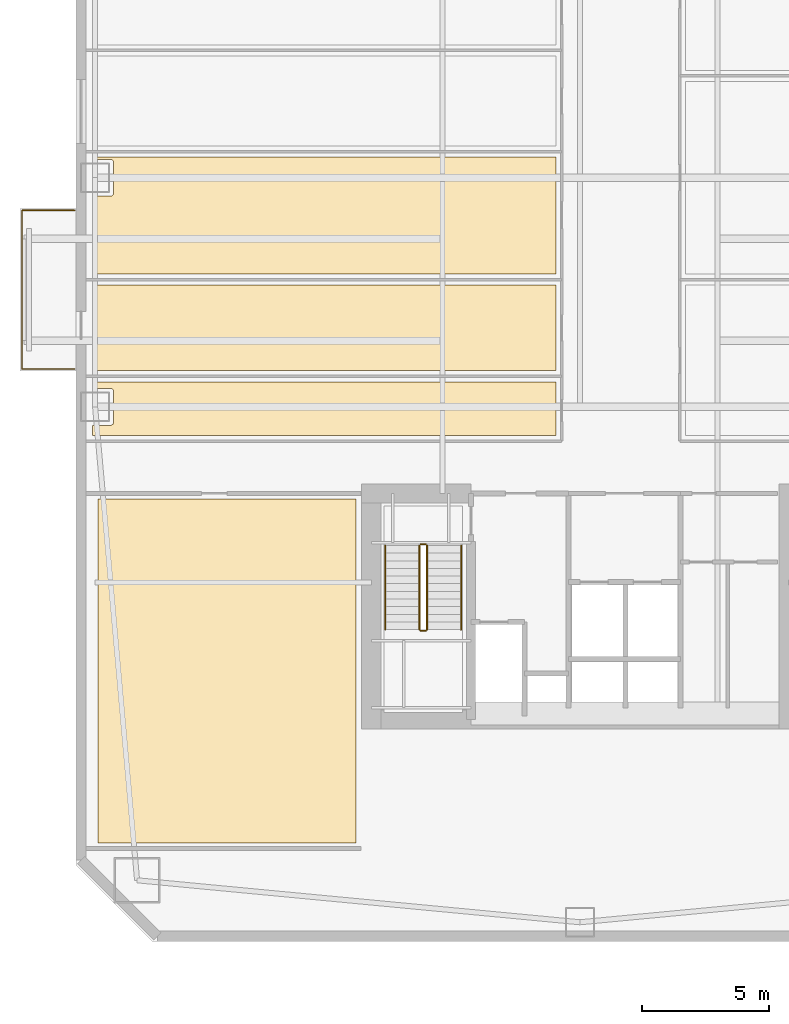
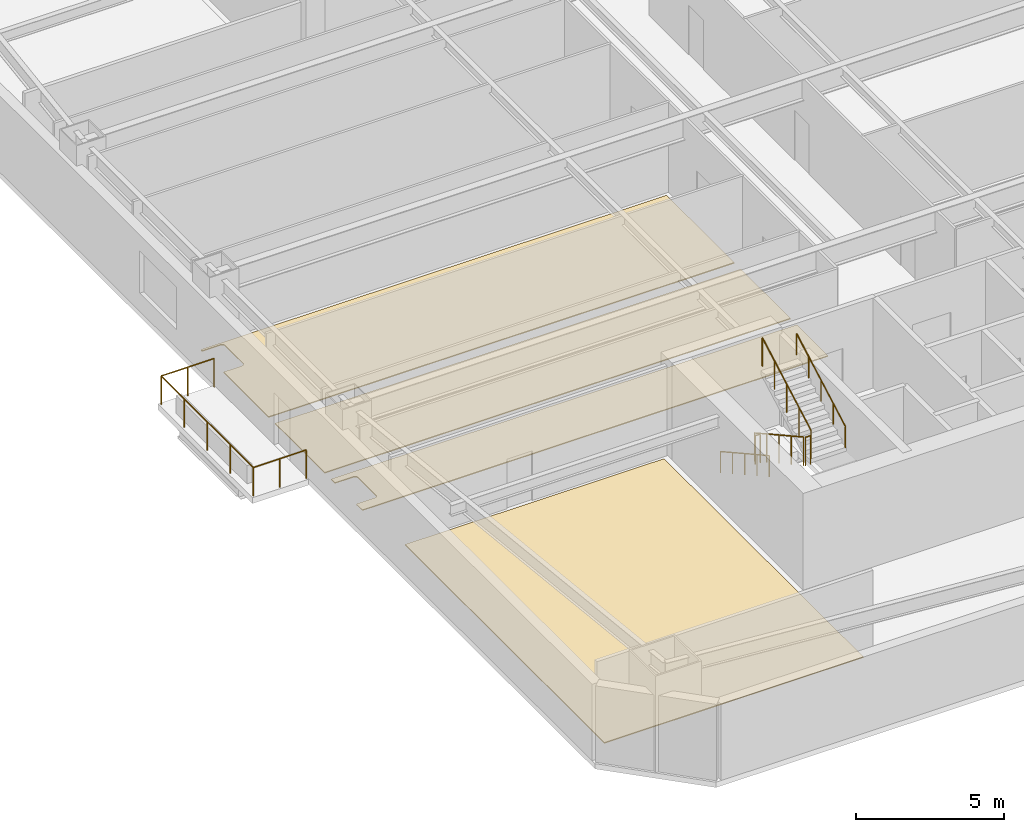
# One storey, part 11 of 18: 7 railings, 4 coverings.
"""IFC4 building model written with IfcOpenShell, lengths in metres."""

import ifcopenshell
import ifcopenshell.guid

model = None  # the IFC model being written
_history = None  # IfcOwnerHistory: only IFC2X3 demands one
_inside = {}  # id of a spatial element -> (the spatial element, [elements in it])
_under = {}  # id of a project, library or spatial element -> (it, [spatial elements below it])
_declared = {}  # id of a project -> (the project, [libraries it declares])
_typed = {}  # id of a type object -> (the type object, [elements of that type])
_made_of = {}  # id of a material, layer set ... -> (it, [elements and type objects made of it])


def new_model(schema):
    """Start an empty IFC model of exactly this schema.

    Asked for "IFC4X3", IfcOpenShell would pick the latest addendum, in which some entities
    have other attributes; the version numbers below select the first issue.
    IFC2X3 requires an IfcOwnerHistory on every rooted entity: one is made here for all.
    """
    global model, _history
    if schema == "IFC4X3":
        model = ifcopenshell.file(schema_version=(4, 3, 0, 0))
    else:
        model = ifcopenshell.file(schema=schema)
    _inside.clear()
    _under.clear()
    _declared.clear()
    _typed.clear()
    _made_of.clear()
    _history = None
    if model.schema == "IFC2X3":
        org = make("IfcOrganization", Name="unknown")
        user = make(
            "IfcPersonAndOrganization",
            ThePerson=make("IfcPerson", FamilyName="unknown"),
            TheOrganization=org,
        )
        app = make(
            "IfcApplication",
            ApplicationDeveloper=org,
            Version="unknown",
            ApplicationFullName="unknown",
            ApplicationIdentifier="unknown",
        )
        _history = make(
            "IfcOwnerHistory",
            OwningUser=user,
            OwningApplication=app,
            ChangeAction="ADDED",
            CreationDate=0,
        )
    return model


def make(cls, **values):
    """One entity of the class cls with the attributes given. An attribute that is None is left unset."""
    return model.create_entity(
        cls, **{name: value for name, value in values.items() if value is not None}
    )


def rooted(cls, **values):
    """An entity with a GlobalId (a new one), such as an element, a storey or a relation."""
    return make(cls, GlobalId=ifcopenshell.guid.new(), OwnerHistory=_history, **values)


def si_unit(unit_type, name, prefix=None):
    """IfcSIUnit, for example si_unit("LENGTHUNIT", "METRE", prefix="MILLI")."""
    return make("IfcSIUnit", UnitType=unit_type, Prefix=prefix, Name=name)


def assignment(units):
    """IfcUnitAssignment: the units of a project."""
    return None if units is None else make("IfcUnitAssignment", Units=units)


def point(xyz):
    """IfcCartesianPoint."""
    return None if xyz is None else make("IfcCartesianPoint", Coordinates=xyz)


def direction(xyz):
    """IfcDirection."""
    return None if xyz is None else make("IfcDirection", DirectionRatios=xyz)


def frame(location, z_axis=None, x_axis=None):
    """IfcAxis2Placement3D, a coordinate frame: its origin and axes. An axis left out is left unset."""
    return make(
        "IfcAxis2Placement3D",
        Location=point(location),
        Axis=direction(z_axis),
        RefDirection=direction(x_axis),
    )


def frame_2d(location, x_axis=None):
    """IfcAxis2Placement2D, a coordinate frame in the plane: its origin and x axis."""
    return make(
        "IfcAxis2Placement2D", Location=point(location), RefDirection=direction(x_axis)
    )


def origin():
    """The frame at (0, 0, 0) with its axes left unset."""
    return frame((0.0, 0.0, 0.0))


def origin_2d():
    """The frame at (0, 0) in the plane with its x axis left unset."""
    return frame_2d((0.0, 0.0))


def place(relative_to, where):
    """IfcLocalPlacement: puts the frame where relative to a parent placement (None: the world)."""
    return make(
        "IfcLocalPlacement", PlacementRelTo=relative_to, RelativePlacement=where
    )


def context(
    kind, dimensions, precision=None, world=None, true_north=None, identifier=None
):
    """IfcGeometricRepresentationContext, for example the 3D "Model" context."""
    return make(
        "IfcGeometricRepresentationContext",
        ContextIdentifier=identifier,
        ContextType=kind,
        CoordinateSpaceDimension=dimensions,
        Precision=precision,
        WorldCoordinateSystem=world,
        TrueNorth=true_north,
    )


def subcontext(parent, identifier, kind, view, scale=None):
    """IfcGeometricRepresentationSubContext, for example "Body" below "Model"."""
    return make(
        "IfcGeometricRepresentationSubContext",
        ContextIdentifier=identifier,
        ContextType=kind,
        ParentContext=parent,
        TargetScale=scale,
        TargetView=view,
    )


def project(units=None, contexts=None):
    """IfcProject with its units and contexts."""
    return rooted(
        "IfcProject",
        Name="project",
        RepresentationContexts=contexts,
        UnitsInContext=assignment(units),
    )


def spatial(cls, under=None, at=None, **own):
    """A site, building, storey or space (cls), placed at a placement, below another one or the project."""
    s = rooted(cls, ObjectPlacement=at, **own)
    if under is not None:
        _under.setdefault(under.id(), (under, []))[1].append(s)
    return s


def polyline(points):
    """IfcPolyline through the points."""
    return make("IfcPolyline", Points=[point(p) for p in points])


def profile(cls, at=None, kind="AREA", **sizes):
    """A parametric profile (cls). Its sizes go by their IFC names, for example OverallWidth=200.0."""
    return make(cls, ProfileType=kind, Position=at, **sizes)


def circle(**sizes):
    """IfcCircleProfileDef."""
    return profile("IfcCircleProfileDef", **sizes)


def outline(outer, holes=None, kind="AREA"):
    """IfcArbitraryClosedProfileDef: a profile drawn as a closed curve; with holes, ...WithVoids."""
    if holes is None:
        return make("IfcArbitraryClosedProfileDef", ProfileType=kind, OuterCurve=outer)
    return make(
        "IfcArbitraryProfileDefWithVoids",
        ProfileType=kind,
        OuterCurve=outer,
        InnerCurves=holes,
    )


def extrude(swept, where, along, depth):
    """IfcExtrudedAreaSolid: the profile swept, set in the frame where, extruded along a direction by depth."""
    return make(
        "IfcExtrudedAreaSolid",
        SweptArea=swept,
        Position=where,
        ExtrudedDirection=direction(along),
        Depth=depth,
    )


def shape(context_of_items, identifier, shape_type, items):
    """IfcShapeRepresentation: the items that make up one representation, for example the "Body"."""
    return make(
        "IfcShapeRepresentation",
        ContextOfItems=context_of_items,
        RepresentationIdentifier=identifier,
        RepresentationType=shape_type,
        Items=items,
    )


def material(Name=None, Category=None):
    """IfcMaterial."""
    return make("IfcMaterial", Name=Name, Category=Category)


def layer(
    of_material, thickness, ventilated=None, Name=None, Category=None, Priority=None
):
    """IfcMaterialLayer: one layer of a wall or slab, of a material (None: an air gap)."""
    return make(
        "IfcMaterialLayer",
        Material=of_material,
        LayerThickness=thickness,
        IsVentilated=ventilated,
        Name=Name,
        Category=Category,
        Priority=Priority,
    )


def layer_set(layers, Name=None):
    """IfcMaterialLayerSet."""
    return make("IfcMaterialLayerSet", MaterialLayers=layers, LayerSetName=Name)


def made_of(thing, what):
    """Note that an element or type object is made of a material, layer set ...; save() writes the relation."""
    if what is not None:
        _made_of.setdefault(what.id(), (what, []))[1].append(thing)
    return thing


def type_object(cls, material=None, **own):
    """A type object (cls), such as IfcWallType, which elements share."""
    return made_of(rooted(cls, **own), material)


def element(
    cls,
    number,
    at=None,
    inside=None,
    cuts=None,
    type_object=None,
    material=None,
    context=None,
    identifier="Body",
    shape_type=None,
    held_by="IfcProductDefinitionShape",
    body=None,
    shapes=None,
    **own,
):
    """One element of the class cls, such as IfcWall. Its Tag is "e" and its number.

    at: its placement. inside: the storey or other place that contains it. cuts: it is an
    opening in that element (IfcRelVoidsElement). A single representation is given by context,
    identifier, shape_type and body (its items); several are given by shapes. held_by: the class
    of the entity that holds the representations. save() writes the other relations.
    """
    e = rooted(cls, Tag="e%d" % number, ObjectPlacement=at, **own)
    if body is not None:
        shapes = [shape(context, identifier, shape_type, body)]
    if shapes is not None:
        e.Representation = make(held_by, Representations=shapes)
    if inside is not None:
        _inside.setdefault(inside.id(), (inside, []))[1].append(e)
    if cuts is not None:
        rooted(
            "IfcRelVoidsElement", RelatingBuildingElement=cuts, RelatedOpeningElement=e
        )
    if type_object is not None:
        _typed.setdefault(type_object.id(), (type_object, []))[1].append(e)
    return made_of(e, material)


def aggregate(whole, parts):
    """IfcRelAggregates: a whole, such as a stair, and the parts it consists of."""
    return rooted("IfcRelAggregates", RelatingObject=whole, RelatedObjects=parts)


def save(model, path):
    """Write the relations noted so far, then the file.

    IfcRelAggregates (storeys below a building ...), IfcRelContainedInSpatialStructure (elements
    in a storey), IfcRelDefinesByType, IfcRelAssociatesMaterial and IfcRelDeclares: one each for
    every whole, place, type object, material and project.
    """
    for whole, parts in _under.values():
        aggregate(whole, parts)
    for where, things in _inside.values():
        rooted(
            "IfcRelContainedInSpatialStructure",
            RelatedElements=things,
            RelatingStructure=where,
        )
    for kind, things in _typed.values():
        rooted("IfcRelDefinesByType", RelatedObjects=things, RelatingType=kind)
    for what, things in _made_of.values():
        rooted("IfcRelAssociatesMaterial", RelatedObjects=things, RelatingMaterial=what)
    for by, libraries in _declared.values():
        rooted("IfcRelDeclares", RelatingContext=by, RelatedDefinitions=libraries)
    model.write(path)


model = new_model("IFC4")

# Units and contexts
model_context = context("Model", 3, precision=1e-05, world=origin(), true_north=direction((0.0, 1.0)))
body_context = subcontext(model_context, "Body", "Model", "MODEL_VIEW")
ifc_project = project(units=[si_unit("LENGTHUNIT", "METRE"), si_unit("AREAUNIT", "SQUARE_METRE"), si_unit("VOLUMEUNIT", "CUBIC_METRE"), si_unit("PLANEANGLEUNIT", "RADIAN"), si_unit("MASSUNIT", "GRAM", prefix="KILO")], contexts=[model_context])

# Site, building, storey
site_placement = place(None, origin())
site = spatial("IfcSite", under=ifc_project, at=site_placement, CompositionType="ELEMENT")
building_placement = place(site_placement, origin())
building = spatial("IfcBuilding", under=site, at=building_placement, Name="Qiaolan Cultural Towers", CompositionType="ELEMENT")
storey_placement = place(building_placement, frame((0.0, 0.0, 38.0)))
storey = spatial("IfcBuildingStorey", under=building, at=storey_placement, Name="L08", CompositionType="ELEMENT", Elevation=38.0)

# Coverings
ifc_material_1 = material(Name="Honed Terrazzo & Raised Access Flooring", Category="concrete")
ifc_layer = layer(ifc_material_1, 0.0400390625)
ifc_layer_set = layer_set([ifc_layer], Name="Honed Terrazzo & Raised Access Flooring")
covering_type = type_object("IfcCoveringType", Name="COV-FLR-STONE", PredefinedType="FLOORING", material=ifc_layer_set)
covering_1_placement = place(storey_placement, origin())
element("IfcCovering", 1, at=covering_1_placement, inside=storey, type_object=covering_type, Name="L08 Corner Project Briefing Room Finish Flooring", PredefinedType="FLOORING", context=body_context, shape_type="SweptSolid", body=[
    extrude(outline(polyline([(21.199951171875, 7.8701171875), (21.199951171875, 21.3798828125), (11.070068359375, 21.3798828125), (11.070068359375, 7.8701171875), (21.199951171875, 7.8701171875)])), origin(), (0.0, 0.0, 1.0), 0.0400390625),
])
covering_2_placement = place(storey_placement, origin())
element("IfcCovering", 2, at=covering_2_placement, inside=storey, type_object=covering_type, Name="L08 Project Briefing Room Finish Flooring", PredefinedType="FLOORING", context=body_context, shape_type="SweptSolid", body=[
    extrude(outline(polyline([(10.840087890625, 25.72509765625), (11.554931640625, 25.72509765625), (11.566650390625, 25.724365234375), (11.578369140625, 25.72265625), (11.58984375, 25.7197265625), (11.600830078125, 25.7158203125), (11.611572265625, 25.7109375), (11.62158203125, 25.704833984375), (11.631103515625, 25.69775390625), (11.639892578125, 25.68994140625), (11.647705078125, 25.68115234375), (11.65478515625, 25.671630859375), (11.660888671875, 25.66162109375), (11.665771484375, 25.65087890625), (11.669921875, 25.639892578125), (11.672607421875, 25.62841796875), (11.67431640625, 25.61669921875), (11.675048828125, 25.60498046875), (11.675048828125, 24.39501953125), (11.67431640625, 24.38330078125), (11.672607421875, 24.37158203125), (11.669921875, 24.360107421875), (11.665771484375, 24.34912109375), (11.660888671875, 24.33837890625), (11.65478515625, 24.328369140625), (11.647705078125, 24.31884765625), (11.639892578125, 24.31005859375), (11.631103515625, 24.30224609375), (11.62158203125, 24.295166015625), (11.611572265625, 24.2890625), (11.600830078125, 24.2841796875), (11.58984375, 24.2802734375), (11.578369140625, 24.27734375), (11.566650390625, 24.275634765625), (11.554931640625, 24.27490234375), (10.840087890625, 24.27490234375), (10.840087890625, 23.8701171875), (29.054931640625, 23.8701171875), (29.054931640625, 25.97998046875), (10.840087890625, 25.97998046875), (10.840087890625, 25.72509765625)])), origin(), (0.0, 0.0, 1.0), 0.0400390625),
])
covering_3_placement = place(storey_placement, origin())
element("IfcCovering", 3, at=covering_3_placement, inside=storey, type_object=covering_type, Name="L08 Curatorial Research Office Finish Flooring", PredefinedType="FLOORING", context=body_context, shape_type="SweptSolid", body=[
    extrude(outline(polyline([(29.054931640625, 26.419921875), (29.054931640625, 29.780029296875), (10.840087890625, 29.780029296875), (10.840087890625, 26.419921875), (29.054931640625, 26.419921875)])), origin(), (0.0, 0.0, 1.0), 0.0400390625),
])
covering_4_placement = place(storey_placement, origin())
element("IfcCovering", 4, at=covering_4_placement, inside=storey, type_object=covering_type, Name="L08 Curatorial Research Office Finish Flooring", PredefinedType="FLOORING", context=body_context, shape_type="SweptSolid", body=[
    extrude(outline(polyline([(10.840087890625, 34.72509765625), (11.554931640625, 34.72509765625), (11.566650390625, 34.724365234375), (11.578369140625, 34.72265625), (11.58984375, 34.7197265625), (11.600830078125, 34.7158203125), (11.611572265625, 34.7109375), (11.62158203125, 34.704833984375), (11.631103515625, 34.69775390625), (11.639892578125, 34.68994140625), (11.647705078125, 34.68115234375), (11.65478515625, 34.671630859375), (11.660888671875, 34.66162109375), (11.665771484375, 34.65087890625), (11.669921875, 34.639892578125), (11.672607421875, 34.62841796875), (11.67431640625, 34.61669921875), (11.675048828125, 34.60498046875), (11.675048828125, 33.39501953125), (11.67431640625, 33.38330078125), (11.672607421875, 33.37158203125), (11.669921875, 33.360107421875), (11.665771484375, 33.34912109375), (11.660888671875, 33.33837890625), (11.65478515625, 33.328369140625), (11.647705078125, 33.31884765625), (11.639892578125, 33.31005859375), (11.631103515625, 33.30224609375), (11.62158203125, 33.295166015625), (11.611572265625, 33.2890625), (11.600830078125, 33.2841796875), (11.58984375, 33.2802734375), (11.578369140625, 33.27734375), (11.566650390625, 33.275634765625), (11.554931640625, 33.27490234375), (10.840087890625, 33.27490234375), (10.840087890625, 30.219970703125), (29.054931640625, 30.219970703125), (29.054931640625, 34.80810546875), (10.840087890625, 34.80810546875), (10.840087890625, 34.72509765625)])), origin(), (0.0, 0.0, 1.0), 0.0400390625),
])

# Railings
ifc_material_2 = material(Name="Laminated SentryGlas & Stainless Steel S31608 Balustrade", Category="steel")
railing_type_1 = type_object("IfcRailingType", Name="GRD-TERR-1200", PredefinedType="BALUSTRADE", material=ifc_material_2)
railing_1_placement = place(storey_placement, frame((10.14990234375, 26.47998046875, 0.0)))
element("IfcRailing", 5, at=railing_1_placement, inside=storey, type_object=railing_type_1, Name="L08 T1 Tree Balcony Guardrail W", PredefinedType="BALUSTRADE", context=body_context, shape_type="SweptSolid", body=[
    extrude(circle(Radius=0.02392578125, at=origin_2d()), frame((0.0, 0.0, 1.17578125), z_axis=(-1.0, 0.0, 0.0), x_axis=(0.0, -1.0, 0.0)), (0.0, 0.0, 1.0), 2.06982421875),
    extrude(circle(Radius=0.02392578125, at=origin_2d()), frame((-2.06982421875, 0.0, 1.17578125), z_axis=(0.0, 1.0, 0.0), x_axis=(-1.0, 0.0, 0.0)), (0.0, 0.0, 1.0), 6.239990234375),
    extrude(circle(Radius=0.02392578125, at=origin_2d()), frame((-2.06982421875, 6.239990234375, 1.17578125), z_axis=(1.0, 0.0, 0.0), x_axis=(0.0, 1.0, 0.0)), (0.0, 0.0, 1.0), 2.06982421875),
    extrude(circle(Radius=0.02099609375, at=origin_2d()), origin(), (0.0, 0.0, 1.0), 1.15185546875),
    extrude(circle(Radius=0.02099609375, at=origin_2d()), frame((-1.034912109375, 0.0, 0.0)), (0.0, 0.0, 1.0), 1.15185546875),
    extrude(circle(Radius=0.02099609375, at=origin_2d()), frame((-2.06982421875, 0.0, 0.0)), (0.0, 0.0, 1.0), 1.15185546875),
    extrude(circle(Radius=0.02099609375, at=origin_2d()), frame((-2.06982421875, 1.56005859375, 0.0)), (0.0, 0.0, 1.0), 1.15185546875),
    extrude(circle(Radius=0.02099609375, at=origin_2d()), frame((-2.06982421875, 3.1201171875, 0.0)), (0.0, 0.0, 1.0), 1.15185546875),
    extrude(circle(Radius=0.02099609375, at=origin_2d()), frame((-2.06982421875, 4.679931640625, 0.0)), (0.0, 0.0, 1.0), 1.15185546875),
    extrude(circle(Radius=0.02099609375, at=origin_2d()), frame((-2.06982421875, 6.239990234375, 0.0)), (0.0, 0.0, 1.0), 1.15185546875),
    extrude(circle(Radius=0.02099609375, at=origin_2d()), frame((-1.034912109375, 6.239990234375, 0.0)), (0.0, 0.0, 1.0), 1.15185546875),
    extrude(circle(Radius=0.02099609375, at=origin_2d()), frame((0.0, 6.239990234375, 0.0)), (0.0, 0.0, 1.0), 1.15185546875),
])
ifc_material_3 = material(Name="Galvanized Painted Steel Stair Guardrail", Category="steel")
railing_type_2 = type_object("IfcRailingType", Name="RL-STAIR-GRD", PredefinedType="GUARDRAIL", material=ifc_material_3)
railing_2_placement = place(storey_placement, frame((23.68994140625, 19.550048828125, 0.166748046875)))
element("IfcRailing", 6, at=railing_2_placement, inside=storey, type_object=railing_type_2, Name="L08 ST-W1 stair guard 1", PredefinedType="GUARDRAIL", context=body_context, shape_type="SweptSolid", body=[
    extrude(circle(Radius=0.02392578125, at=origin_2d()), frame((0.0, 0.0, 1.17578125), z_axis=(0.0, -0.874169478083, 0.485620966999), x_axis=(1.0, 0.0, 0.0)), (0.0, 0.0, 1.0), 3.775146484375),
    extrude(circle(Radius=0.02099609375, at=origin_2d()), origin(), (0.0, 0.0, 1.0), 1.15185546875),
    extrude(circle(Radius=0.02099609375, at=origin_2d()), frame((0.0, -0.824951171875, 0.458251953125)), (0.0, 0.0, 1.0), 1.15185546875),
    extrude(circle(Radius=0.02099609375, at=origin_2d()), frame((0.0, -1.64990234375, 0.91650390625)), (0.0, 0.0, 1.0), 1.15185546875),
    extrude(circle(Radius=0.02099609375, at=origin_2d()), frame((0.0, -2.47509765625, 1.375)), (0.0, 0.0, 1.0), 1.15185546875),
    extrude(circle(Radius=0.02099609375, at=origin_2d()), frame((0.0, -3.300048828125, 1.833251953125)), (0.0, 0.0, 1.0), 1.15185546875),
])
railing_3_placement = place(storey_placement, frame((23.739990234375, 16.199951171875, 2.0)))
element("IfcRailing", 7, at=railing_3_placement, inside=storey, type_object=railing_type_2, Name="L08 ST-W1 stair guard 2", PredefinedType="GUARDRAIL", context=body_context, shape_type="SweptSolid", body=[
    extrude(circle(Radius=0.02392578125, at=origin_2d()), frame((0.0, 0.0, 1.17578125), z_axis=(1.0, 0.0, 0.0), x_axis=(0.0, 1.0, 0.0)), (0.0, 0.0, 1.0), 0.199951171875),
    extrude(circle(Radius=0.02099609375, at=origin_2d()), origin(), (0.0, 0.0, 1.0), 1.15185546875),
    extrude(circle(Radius=0.02099609375, at=origin_2d()), frame((0.199951171875, 0.0, 0.0)), (0.0, 0.0, 1.0), 1.15185546875),
])
railing_4_placement = place(storey_placement, frame((23.989990234375, 16.25, 2.166748046875)))
element("IfcRailing", 8, at=railing_4_placement, inside=storey, type_object=railing_type_2, Name="L08 ST-W1 stair guard 3", PredefinedType="GUARDRAIL", context=body_context, shape_type="SweptSolid", body=[
    extrude(circle(Radius=0.02392578125, at=origin_2d()), frame((0.0, 0.0, 1.17578125), z_axis=(0.0, 0.874169478083, 0.485620966999), x_axis=(-1.0, 0.0, 0.0)), (0.0, 0.0, 1.0), 3.775146484375),
    extrude(circle(Radius=0.02099609375, at=origin_2d()), origin(), (0.0, 0.0, 1.0), 1.15185546875),
    extrude(circle(Radius=0.02099609375, at=origin_2d()), frame((0.0, 0.824951171875, 0.458251953125)), (0.0, 0.0, 1.0), 1.15185546875),
    extrude(circle(Radius=0.02099609375, at=origin_2d()), frame((0.0, 1.64990234375, 0.91650390625)), (0.0, 0.0, 1.0), 1.15185546875),
    extrude(circle(Radius=0.02099609375, at=origin_2d()), frame((0.0, 2.47509765625, 1.375)), (0.0, 0.0, 1.0), 1.15185546875),
    extrude(circle(Radius=0.02099609375, at=origin_2d()), frame((0.0, 3.300048828125, 1.833251953125)), (0.0, 0.0, 1.0), 1.15185546875),
])
railing_5_placement = place(storey_placement, frame((23.739990234375, 19.60009765625, 0.0)))
element("IfcRailing", 9, at=railing_5_placement, inside=storey, type_object=railing_type_2, Name="L08 ST-W1 stair guard 4", PredefinedType="GUARDRAIL", context=body_context, shape_type="SweptSolid", body=[
    extrude(circle(Radius=0.02392578125, at=origin_2d()), frame((0.0, 0.0, 1.17578125), z_axis=(1.0, 0.0, 0.0), x_axis=(0.0, 1.0, 0.0)), (0.0, 0.0, 1.0), 0.199951171875),
    extrude(circle(Radius=0.02099609375, at=origin_2d()), origin(), (0.0, 0.0, 1.0), 1.15185546875),
    extrude(circle(Radius=0.02099609375, at=origin_2d()), frame((0.199951171875, 0.0, 0.0)), (0.0, 0.0, 1.0), 1.15185546875),
])
ifc_material_4 = material(Name="Stainless Steel S30408 Tubular Handrail", Category="steel")
railing_type_3 = type_object("IfcRailingType", Name="RL-STAIR-HR", PredefinedType="HANDRAIL", material=ifc_material_4)
railing_6_placement = place(storey_placement, frame((22.35009765625, 19.550048828125, 0.166748046875)))
element("IfcRailing", 10, at=railing_6_placement, inside=storey, type_object=railing_type_3, Name="L08 ST-W1 stair handrail 1", PredefinedType="HANDRAIL", context=body_context, shape_type="SweptSolid", body=[
    extrude(circle(Radius=0.02392578125, at=origin_2d()), frame((0.0, 0.0, 0.8759765625), z_axis=(0.0, -0.874169478083, 0.485620966999), x_axis=(1.0, 0.0, 0.0)), (0.0, 0.0, 1.0), 3.775146484375),
    extrude(circle(Radius=0.02099609375, at=origin_2d()), origin(), (0.0, 0.0, 1.0), 0.851806640625),
    extrude(circle(Radius=0.02099609375, at=origin_2d()), frame((0.0, -0.824951171875, 0.458251953125)), (0.0, 0.0, 1.0), 0.851806640625),
    extrude(circle(Radius=0.02099609375, at=origin_2d()), frame((0.0, -1.64990234375, 0.91650390625)), (0.0, 0.0, 1.0), 0.851806640625),
    extrude(circle(Radius=0.02099609375, at=origin_2d()), frame((0.0, -2.47509765625, 1.375)), (0.0, 0.0, 1.0), 0.851806640625),
    extrude(circle(Radius=0.02099609375, at=origin_2d()), frame((0.0, -3.300048828125, 1.833251953125)), (0.0, 0.0, 1.0), 0.851806640625),
])
railing_7_placement = place(storey_placement, frame((25.330078125, 16.25, 2.166748046875)))
element("IfcRailing", 11, at=railing_7_placement, inside=storey, type_object=railing_type_3, Name="L08 ST-W1 stair handrail 2", PredefinedType="HANDRAIL", context=body_context, shape_type="SweptSolid", body=[
    extrude(circle(Radius=0.02392578125, at=origin_2d()), frame((0.0, 0.0, 0.8759765625), z_axis=(0.0, 0.874169478083, 0.485620966999), x_axis=(-1.0, 0.0, 0.0)), (0.0, 0.0, 1.0), 3.775146484375),
    extrude(circle(Radius=0.02099609375, at=origin_2d()), origin(), (0.0, 0.0, 1.0), 0.851806640625),
    extrude(circle(Radius=0.02099609375, at=origin_2d()), frame((0.0, 0.824951171875, 0.458251953125)), (0.0, 0.0, 1.0), 0.851806640625),
    extrude(circle(Radius=0.02099609375, at=origin_2d()), frame((0.0, 1.64990234375, 0.91650390625)), (0.0, 0.0, 1.0), 0.851806640625),
    extrude(circle(Radius=0.02099609375, at=origin_2d()), frame((0.0, 2.47509765625, 1.375)), (0.0, 0.0, 1.0), 0.851806640625),
    extrude(circle(Radius=0.02099609375, at=origin_2d()), frame((0.0, 3.300048828125, 1.833251953125)), (0.0, 0.0, 1.0), 0.851806640625),
])

save(model, "model.ifc")
